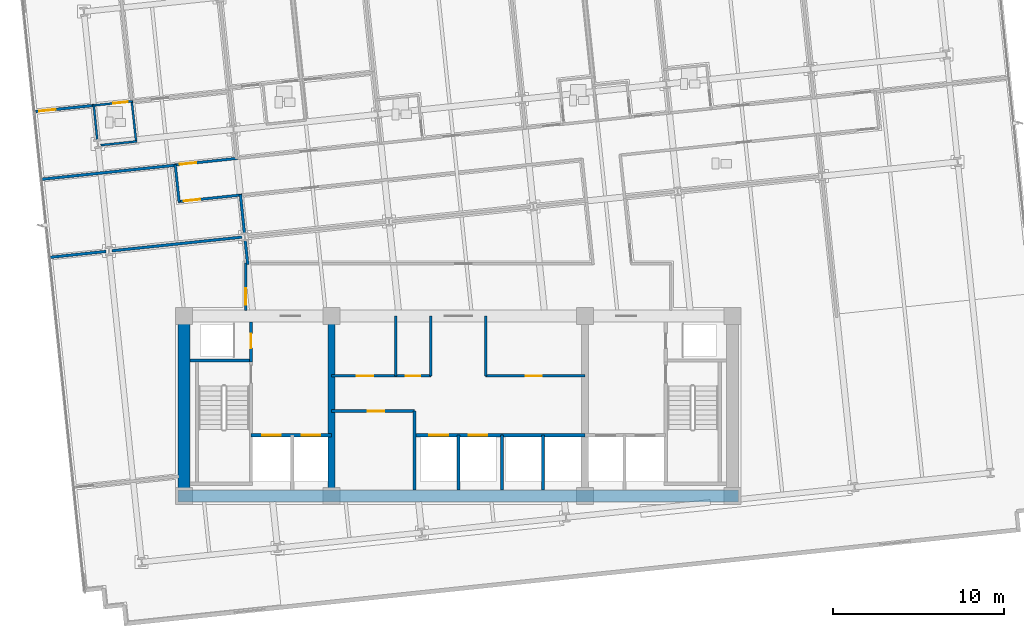
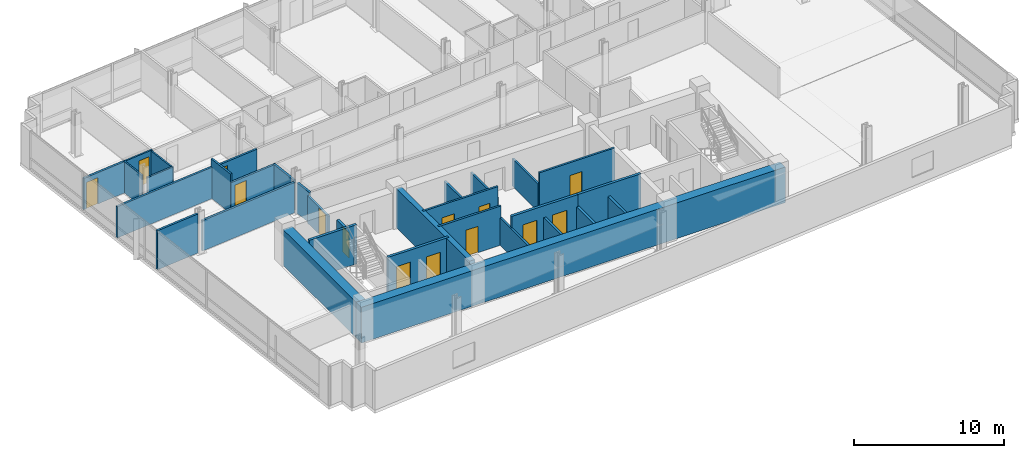
# One storey, part 10 of 18: 32 walls, 14 doors, 14 openings.
"""IFC4 building model written with IfcOpenShell, lengths in metres."""

from ifc_helpers import new_model, si_unit, direction, frame, frame_2d, origin, place, context, subcontext, project, spatial, rectangle, extrude, material, layer, layer_set, type_object, element, fill, save


model = new_model("IFC4")

# Units and contexts
model_context = context("Model", 3, precision=1e-05, world=origin(), true_north=direction((0.0, 1.0)))
body_context = subcontext(model_context, "Body", "Model", "MODEL_VIEW")
ifc_project = project(units=[si_unit("LENGTHUNIT", "METRE"), si_unit("AREAUNIT", "SQUARE_METRE"), si_unit("VOLUMEUNIT", "CUBIC_METRE"), si_unit("PLANEANGLEUNIT", "RADIAN"), si_unit("MASSUNIT", "GRAM", prefix="KILO")], contexts=[model_context])

# Site, building, storey
site_placement = place(None, origin())
site = spatial("IfcSite", under=ifc_project, at=site_placement, CompositionType="ELEMENT")
building_placement = place(site_placement, origin())
building = spatial("IfcBuilding", under=site, at=building_placement, Name="Solmavex Isthmus Hotel", CompositionType="ELEMENT")
storey_placement = place(building_placement, frame((0.0, 0.0, 120.14990234375)))
storey = spatial("IfcBuildingStorey", under=building, at=storey_placement, Name="L32", CompositionType="ELEMENT", Elevation=120.14990234375)

# Wall, opening, door
ifc_material_1 = material(Name="Gypsum plasterboard lining", Category="gypsum")
ifc_layer_1 = layer(ifc_material_1, 0.159912109375)
ifc_layer_set_1 = layer_set([ifc_layer_1], Name="Gypsum plasterboard lining")
wall_type_1 = type_object("IfcWallType", Name="IW-COMP-160", PredefinedType="PARTITIONING", material=ifc_layer_set_1)
wall_1_placement = place(storey_placement, frame((-7.39990234375, -8.050048828125, 0.0), z_axis=(0.0, 0.0, 1.0), x_axis=(1.0, 0.0, 0.0)))
wall_1 = element("IfcWall", 1, at=wall_1_placement, inside=storey, type_object=wall_type_1, Name="Interior Partition Wall W-L32-REC-PLL-N", PredefinedType="PARTITIONING", context=body_context, shape_type="SweptSolid", body=[
    extrude(rectangle(XDim=4.849853515625, YDim=0.159912109375, at=frame_2d((2.4248046875, 0.0))), origin(), (0.0, 0.0, 1.0), 3.190185546875),
])
opening_1_placement = place(wall_1_placement, frame((2.125, 0.0, 0.0)))
opening_1 = element("IfcOpeningElement", 2, at=opening_1_placement, cuts=wall_1, Name="Opening ID-C095", PredefinedType="OPENING", context=body_context, shape_type="SweptSolid", body=[
    extrude(rectangle(XDim=0.949951171875, YDim=2.14990234375, at=frame_2d((0.47509765625, 1.074951171875))), frame((0.0, 0.08984375, 0.0), z_axis=(0.0, -1.0, 0.0), x_axis=(1.0, 0.0, 0.0)), (0.0, 0.0, 1.0), 0.179931640625),
])
ifc_material_2 = material(Name="Hardwood timber", Category="wood")
door_type_1 = type_object("IfcDoorType", Name="IDR-FD60-0950", OperationType="NOTDEFINED", PredefinedType="DOOR", material=ifc_material_2)
door_1_placement = place(opening_1_placement, origin())
door_1 = element("IfcDoor", 3, at=door_1_placement, inside=storey, type_object=door_type_1, Name="Linen Reserve Door L32", OperationType="SINGLE_SWING_LEFT", OverallHeight=2.14990234375, OverallWidth=0.949951171875, PredefinedType="DOOR", context=body_context, shape_type="SweptSolid", body=[
    extrude(rectangle(XDim=0.949951171875, YDim=2.14990234375, at=frame_2d((0.47509765625, 1.074951171875))), frame((0.0, 0.02490234375, 0.0), z_axis=(0.0, -1.0, 0.0), x_axis=(1.0, 0.0, 0.0)), (0.0, 0.0, 1.0), 0.050048828125),
])
fill(opening_1, door_1)

# Wall
wall_2_placement = place(storey_placement, frame((-2.550048828125, -12.64990234375, 0.0), z_axis=(0.0, 0.0, 1.0), x_axis=(0.0, 1.0, 0.0)))
element("IfcWall", 4, at=wall_2_placement, inside=storey, type_object=wall_type_1, Name="Interior Partition Wall W-L32-REC-PLL-E", PredefinedType="PARTITIONING", context=body_context, shape_type="SweptSolid", body=[
    extrude(rectangle(XDim=4.599853515625, YDim=0.159912109375, at=frame_2d((2.2998046875, 0.0))), origin(), (0.0, 0.0, 1.0), 2.22509765625),
])

# Wall, opening, door
wall_3_placement = place(storey_placement, frame((-24.657958984375, 9.431396484375, 0.0), z_axis=(0.0, 0.0, 1.0), x_axis=(0.994518263963, 0.104563008008, 0.0)))
wall_3 = element("IfcWall", 5, at=wall_3_placement, inside=storey, type_object=wall_type_1, Name="Interior Partition Wall W-L32-P026", PredefinedType="PARTITIONING", context=body_context, shape_type="SweptSolid", body=[
    extrude(rectangle(XDim=3.44384765625, YDim=0.159912109375, at=frame_2d((1.721923828125, 0.0))), origin(), (0.0, 0.0, 1.0), 2.55322265625),
])
opening_2_placement = place(wall_3_placement, frame((0.2099609375, 0.0, 0.0)))
opening_2 = element("IfcOpeningElement", 6, at=opening_2_placement, cuts=wall_3, Name="Opening ID-C095", PredefinedType="OPENING", context=body_context, shape_type="SweptSolid", body=[
    extrude(rectangle(XDim=0.949951171875, YDim=2.14990234375, at=frame_2d((0.47509765625, 1.074951171875))), frame((0.0, 0.08984375, 0.0), z_axis=(0.0, -1.0, 0.0), x_axis=(1.0, 0.0, 0.0)), (0.0, 0.0, 1.0), 0.179931640625),
])
door_2_placement = place(opening_2_placement, origin())
door_2 = element("IfcDoor", 7, at=door_2_placement, inside=storey, type_object=door_type_1, Name="Ambassador Panorama Suite Master Bedroom Door L32-02", OperationType="SINGLE_SWING_RIGHT", OverallHeight=2.14990234375, OverallWidth=0.949951171875, PredefinedType="DOOR", context=body_context, shape_type="SweptSolid", body=[
    extrude(rectangle(XDim=0.949951171875, YDim=2.14990234375, at=frame_2d((0.47509765625, 1.074951171875))), frame((0.0, 0.02490234375, 0.0), z_axis=(0.0, -1.0, 0.0), x_axis=(1.0, 0.0, 0.0)), (0.0, 0.0, 1.0), 0.050048828125),
])
fill(opening_2, door_2)

# Walls
wall_4_placement = place(storey_placement, frame((-16.47802734375, 6.301513671875, 0.0), z_axis=(0.0, 0.0, 1.0), x_axis=(-0.994519786396, -0.104548526856, 0.0)))
element("IfcWall", 8, at=wall_4_placement, inside=storey, type_object=wall_type_1, Name="Interior Partition Wall W-L32-P033", PredefinedType="PARTITIONING", context=body_context, shape_type="SweptSolid", body=[
    extrude(rectangle(XDim=7.927978515625, YDim=0.159912109375, at=frame_2d((3.9638671875, 0.0))), origin(), (0.0, 0.0, 1.0), 2.55322265625),
])
wall_5_placement = place(storey_placement, frame((-12.718994140625, 4.594970703125, 0.0), z_axis=(0.0, 0.0, 1.0), x_axis=(0.104569435529, -0.994517588157, 0.0)))
element("IfcWall", 9, at=wall_5_placement, inside=storey, type_object=wall_type_1, Name="Interior Partition Wall W-L32-P072", PredefinedType="PARTITIONING", context=body_context, shape_type="SweptSolid", body=[
    extrude(rectangle(XDim=2.313720703125, YDim=0.159912109375, at=frame_2d((1.15673828125, 0.0))), origin(), (0.0, 0.0, 1.0), 2.4794921875),
])
wall_6_placement = place(storey_placement, frame((-20.558349609375, 1.267333984375, 0.0), z_axis=(0.0, 0.0, 1.0), x_axis=(-0.99451904707, -0.10455555946, 0.0)))
element("IfcWall", 10, at=wall_6_placement, inside=storey, type_object=wall_type_1, Name="Interior Partition Wall W-L32-P073", PredefinedType="PARTITIONING", context=body_context, shape_type="SweptSolid", body=[
    extrude(rectangle(XDim=3.34375, YDim=0.159912109375, at=frame_2d((1.671875, 0.0))), origin(), (0.0, 0.0, 1.0), 3.190185546875),
])
wall_7_placement = place(storey_placement, frame((-12.634033203125, 2.10009765625, 0.0), z_axis=(0.0, 0.0, 1.0), x_axis=(-0.994524056968, -0.104507894972, 0.0)))
element("IfcWall", 11, at=wall_7_placement, inside=storey, type_object=wall_type_1, Name="Interior Partition Wall W-L32-P074", PredefinedType="PARTITIONING", context=body_context, shape_type="SweptSolid", body=[
    extrude(rectangle(XDim=7.61572265625, YDim=0.159912109375, at=frame_2d((3.807861328125, 0.0))), origin(), (0.0, 0.0, 1.0), 2.4794921875),
])
wall_8_placement = place(storey_placement, frame((-12.289794921875, 0.51025390625, 0.0), z_axis=(0.0, 0.0, 1.0), x_axis=(-0.104534854339, 0.994521223619, 0.0)))
element("IfcWall", 12, at=wall_8_placement, inside=storey, type_object=wall_type_1, Name="Interior Partition Wall W-L32-P078", PredefinedType="PARTITIONING", context=body_context, shape_type="SweptSolid", body=[
    extrude(rectangle(XDim=1.44091796875, YDim=0.159912109375, at=frame_2d((0.720458984375, 0.0))), origin(), (0.0, 0.0, 1.0), 2.4794921875),
])

# Wall, openings, doors
ifc_layer_2 = layer(ifc_material_1, 0.14990234375)
ifc_layer_set_2 = layer_set([ifc_layer_2], Name="Gypsum plasterboard lining")
wall_type_2 = type_object("IfcWallType", Name="IW-CORR-150", PredefinedType="PARTITIONING", material=ifc_layer_set_2)
wall_9_placement = place(storey_placement, frame((-7.39990234375, -6.0, 0.0), z_axis=(0.0, 0.0, 1.0), x_axis=(1.0, 0.0, 0.0)))
wall_9 = element("IfcWall", 13, at=wall_9_placement, inside=storey, type_object=wall_type_2, Name="Interior Partition Wall W-L32-BOH-WS", PredefinedType="PARTITIONING", context=body_context, shape_type="SweptSolid", body=[
    extrude(rectangle(XDim=5.7998046875, YDim=0.14990234375, at=frame_2d((2.89990234375, 0.0))), origin(), (0.0, 0.0, 1.0), 3.190185546875),
])
opening_3_placement = place(wall_9_placement, frame((1.47509765625, 0.0, 0.0)))
opening_3 = element("IfcOpeningElement", 14, at=opening_3_placement, cuts=wall_9, Name="Opening ID-C095", PredefinedType="OPENING", context=body_context, shape_type="SweptSolid", body=[
    extrude(rectangle(XDim=0.949951171875, YDim=2.14990234375, at=frame_2d((0.47509765625, 1.074951171875))), frame((0.0, 0.0849609375, 0.0), z_axis=(0.0, -1.0, 0.0), x_axis=(1.0, 0.0, 0.0)), (0.0, 0.0, 1.0), 0.169921875),
])
opening_4_placement = place(wall_9_placement, frame((4.324951171875, 0.0, 0.0)))
opening_4 = element("IfcOpeningElement", 15, at=opening_4_placement, cuts=wall_9, Name="Opening ID-R085", PredefinedType="OPENING", context=body_context, shape_type="SweptSolid", body=[
    extrude(rectangle(XDim=0.85009765625, YDim=2.050048828125, at=frame_2d((0.425048828125, 1.02490234375))), frame((0.0, 0.0849609375, 0.0), z_axis=(0.0, -1.0, 0.0), x_axis=(1.0, 0.0, 0.0)), (0.0, 0.0, 1.0), 0.169921875),
])
ifc_material_3 = material(Name="Steel ASTM A500 Grade C", Category="steel")
door_type_2 = type_object("IfcDoorType", Name="IDR-FD60-0850", OperationType="NOTDEFINED", PredefinedType="DOOR", material=ifc_material_3)
door_3_placement = place(opening_4_placement, frame((0.85009765625, 0.0, 0.0), z_axis=(0.0, 0.0, 1.0), x_axis=(-1.0, 0.0, 0.0)))
door_3 = element("IfcDoor", 16, at=door_3_placement, inside=storey, type_object=door_type_2, Name="Cleaner Closet Door L32", OperationType="SINGLE_SWING_RIGHT", OverallHeight=2.050048828125, OverallWidth=0.85009765625, PredefinedType="DOOR", context=body_context, shape_type="SweptSolid", body=[
    extrude(rectangle(XDim=0.85009765625, YDim=2.050048828125, at=frame_2d((0.425048828125, 1.02490234375))), frame((0.0, 0.02490234375, 0.0), z_axis=(0.0, -1.0, 0.0), x_axis=(1.0, 0.0, 0.0)), (0.0, 0.0, 1.0), 0.050048828125),
])
fill(opening_4, door_3)
door_4_placement = place(opening_3_placement, frame((0.949951171875, 0.0, 0.0), z_axis=(0.0, 0.0, 1.0), x_axis=(-1.0, 0.0, 0.0)))
door_4 = element("IfcDoor", 17, at=door_4_placement, inside=storey, type_object=door_type_1, Name="Housekeeping Store Door L32", OperationType="SINGLE_SWING_LEFT", OverallHeight=2.14990234375, OverallWidth=0.949951171875, PredefinedType="DOOR", context=body_context, shape_type="SweptSolid", body=[
    extrude(rectangle(XDim=0.949951171875, YDim=2.14990234375, at=frame_2d((0.47509765625, 1.074951171875))), frame((0.0, 0.02490234375, 0.0), z_axis=(0.0, -1.0, 0.0), x_axis=(1.0, 0.0, 0.0)), (0.0, 0.0, 1.0), 0.050048828125),
])
fill(opening_3, door_4)

# Wall
wall_10_placement = place(storey_placement, frame((-1.60009765625, -6.0, 0.0), z_axis=(0.0, 0.0, 1.0), x_axis=(0.0, 1.0, 0.0)))
element("IfcWall", 18, at=wall_10_placement, inside=storey, type_object=wall_type_2, Name="Interior Partition Wall W-L32-BOH-WE", PredefinedType="PARTITIONING", context=body_context, shape_type="SweptSolid", body=[
    extrude(rectangle(XDim=3.5, YDim=0.14990234375, at=frame_2d((1.75, 0.0))), origin(), (0.0, 0.0, 1.0), 2.22509765625),
])

# Wall, opening, door
wall_11_placement = place(storey_placement, frame((1.60009765625, -6.0, 0.0), z_axis=(0.0, 0.0, 1.0), x_axis=(1.0, 0.0, 0.0)))
wall_11 = element("IfcWall", 19, at=wall_11_placement, inside=storey, type_object=wall_type_2, Name="Interior Partition Wall W-L32-BOH-ES", PredefinedType="PARTITIONING", context=body_context, shape_type="SweptSolid", body=[
    extrude(rectangle(XDim=5.7998046875, YDim=0.14990234375, at=frame_2d((2.89990234375, 0.0))), origin(), (0.0, 0.0, 1.0), 3.190185546875),
])
opening_5_placement = place(wall_11_placement, frame((2.324951171875, 0.0, 0.0)))
opening_5 = element("IfcOpeningElement", 20, at=opening_5_placement, cuts=wall_11, Name="Opening ID-C095", PredefinedType="OPENING", context=body_context, shape_type="SweptSolid", body=[
    extrude(rectangle(XDim=0.949951171875, YDim=2.14990234375, at=frame_2d((0.47509765625, 1.074951171875))), frame((0.0, 0.0849609375, 0.0), z_axis=(0.0, -1.0, 0.0), x_axis=(1.0, 0.0, 0.0)), (0.0, 0.0, 1.0), 0.169921875),
])
door_5_placement = place(opening_5_placement, frame((0.949951171875, 0.0, 0.0), z_axis=(0.0, 0.0, 1.0), x_axis=(-1.0, 0.0, 0.0)))
door_5 = element("IfcDoor", 21, at=door_5_placement, inside=storey, type_object=door_type_1, Name="Butler Pantry Door L32", OperationType="SINGLE_SWING_RIGHT", OverallHeight=2.14990234375, OverallWidth=0.949951171875, PredefinedType="DOOR", context=body_context, shape_type="SweptSolid", body=[
    extrude(rectangle(XDim=0.949951171875, YDim=2.14990234375, at=frame_2d((0.47509765625, 1.074951171875))), frame((0.0, 0.02490234375, 0.0), z_axis=(0.0, -1.0, 0.0), x_axis=(1.0, 0.0, 0.0)), (0.0, 0.0, 1.0), 0.050048828125),
])
fill(opening_5, door_5)

# Wall
wall_12_placement = place(storey_placement, frame((1.60009765625, -6.0, 0.0), z_axis=(0.0, 0.0, 1.0), x_axis=(0.0, 1.0, 0.0)))
element("IfcWall", 22, at=wall_12_placement, inside=storey, type_object=wall_type_2, Name="Interior Partition Wall W-L32-BOH-EW", PredefinedType="PARTITIONING", context=body_context, shape_type="SweptSolid", body=[
    extrude(rectangle(XDim=3.5, YDim=0.14990234375, at=frame_2d((1.75, 0.0))), origin(), (0.0, 0.0, 1.0), 2.22509765625),
])

# Wall, opening, door
wall_13_placement = place(storey_placement, frame((-16.5595703125, 6.31298828125, 0.0), z_axis=(0.0, 0.0, 1.0), x_axis=(0.994525204328, 0.104496975826, 0.0)))
wall_13 = element("IfcWall", 23, at=wall_13_placement, inside=storey, type_object=wall_type_2, Name="Interior Partition Wall W-L32-P001", PredefinedType="PARTITIONING", context=body_context, shape_type="SweptSolid", body=[
    extrude(rectangle(XDim=3.7216796875, YDim=0.14990234375, at=frame_2d((1.86083984375, 0.0))), origin(), (0.0, 0.0, 1.0), 2.4794921875),
])
opening_6_placement = place(wall_13_placement, frame((0.315185546875, 0.0, 0.0)))
opening_6 = element("IfcOpeningElement", 24, at=opening_6_placement, cuts=wall_13, Name="Opening ID-C095", PredefinedType="OPENING", context=body_context, shape_type="SweptSolid", body=[
    extrude(rectangle(XDim=0.949951171875, YDim=2.14990234375, at=frame_2d((0.47509765625, 1.074951171875))), frame((0.0, 0.0849609375, 0.0), z_axis=(0.0, -1.0, 0.0), x_axis=(1.0, 0.0, 0.0)), (0.0, 0.0, 1.0), 0.169921875),
])
door_6_placement = place(opening_6_placement, frame((0.949951171875, 0.0, 0.0), z_axis=(0.0, 0.0, 1.0), x_axis=(-1.0, 0.0, 0.0)))
door_6 = element("IfcDoor", 25, at=door_6_placement, inside=storey, type_object=door_type_1, Name="Ambassador Panorama Suite Living Salon Door L32-01", OperationType="SINGLE_SWING_LEFT", OverallHeight=2.14990234375, OverallWidth=0.949951171875, PredefinedType="DOOR", context=body_context, shape_type="SweptSolid", body=[
    extrude(rectangle(XDim=0.949951171875, YDim=2.14990234375, at=frame_2d((0.47509765625, 1.074951171875))), frame((0.0, 0.02490234375, 0.0), z_axis=(0.0, -1.0, 0.0), x_axis=(1.0, 0.0, 0.0)), (0.0, 0.0, 1.0), 0.050048828125),
])
fill(opening_6, door_6)

wall_14_placement = place(storey_placement, frame((-12.63330078125, 4.563720703125, 0.0), z_axis=(0.0, 0.0, 1.0), x_axis=(-0.994525920558, -0.104490159046, 0.0)))
wall_14 = element("IfcWall", 26, at=wall_14_placement, inside=storey, type_object=wall_type_2, Name="Interior Partition Wall W-L32-P014", PredefinedType="PARTITIONING", context=body_context, shape_type="SweptSolid", body=[
    extrude(rectangle(XDim=3.721923828125, YDim=0.14990234375, at=frame_2d((1.86083984375, 0.0))), origin(), (0.0, 0.0, 1.0), 2.4794921875),
])
opening_7_placement = place(wall_14_placement, frame((2.456787109375, 0.0, 0.0)))
opening_7 = element("IfcOpeningElement", 27, at=opening_7_placement, cuts=wall_14, Name="Opening ID-C095", PredefinedType="OPENING", context=body_context, shape_type="SweptSolid", body=[
    extrude(rectangle(XDim=0.949951171875, YDim=2.14990234375, at=frame_2d((0.47509765625, 1.074951171875))), frame((0.0, 0.0849609375, 0.0), z_axis=(0.0, -1.0, 0.0), x_axis=(1.0, 0.0, 0.0)), (0.0, 0.0, 1.0), 0.169921875),
])
door_7_placement = place(opening_7_placement, frame((0.949951171875, 0.0, 0.0), z_axis=(0.0, 0.0, 1.0), x_axis=(-1.0, 0.0, 0.0)))
door_7 = element("IfcDoor", 28, at=door_7_placement, inside=storey, type_object=door_type_1, Name="Catering Servery Kitchen Door L32-19", OperationType="SINGLE_SWING_LEFT", OverallHeight=2.14990234375, OverallWidth=0.949951171875, PredefinedType="DOOR", context=body_context, shape_type="SweptSolid", body=[
    extrude(rectangle(XDim=0.949951171875, YDim=2.14990234375, at=frame_2d((0.47509765625, 1.074951171875))), frame((0.0, 0.02490234375, 0.0), z_axis=(0.0, -1.0, 0.0), x_axis=(1.0, 0.0, 0.0)), (0.0, 0.0, 1.0), 0.050048828125),
])
fill(opening_7, door_7)

# Wall
wall_15_placement = place(storey_placement, frame((-16.291015625, 4.13916015625, 0.0), z_axis=(0.0, 0.0, 1.0), x_axis=(-0.104512255544, 0.994523598735, 0.0)))
element("IfcWall", 29, at=wall_15_placement, inside=storey, type_object=wall_type_2, Name="Interior Partition Wall W-L32-P015", PredefinedType="PARTITIONING", context=body_context, shape_type="SweptSolid", body=[
    extrude(rectangle(XDim=2.2099609375, YDim=0.14990234375, at=frame_2d((1.10498046875, 0.0))), origin(), (0.0, 0.0, 1.0), 3.190185546875),
])

# Wall, opening, door
wall_16_placement = place(storey_placement, frame((-12.39990234375, -2.18994140625, 0.0), z_axis=(0.0, 0.0, 1.0), x_axis=(0.0, 1.0, 0.0)))
wall_16 = element("IfcWall", 30, at=wall_16_placement, inside=storey, type_object=wall_type_2, Name="Interior Partition Wall W-L32-P020", PredefinedType="PARTITIONING", context=body_context, shape_type="SweptSolid", body=[
    extrude(rectangle(XDim=2.780029296875, YDim=0.14990234375, at=frame_2d((1.39013671875, 0.0))), origin(), (0.0, 0.0, 1.0), 2.22509765625),
])
opening_8_placement = place(wall_16_placement, frame((0.347900390625, 0.0, 0.0)))
opening_8 = element("IfcOpeningElement", 31, at=opening_8_placement, cuts=wall_16, Name="Opening ID-C095", PredefinedType="OPENING", context=body_context, shape_type="SweptSolid", body=[
    extrude(rectangle(XDim=0.949951171875, YDim=2.14990234375, at=frame_2d((0.47509765625, 1.074951171875))), frame((0.0, 0.0849609375, 0.0), z_axis=(0.0, -1.0, 0.0), x_axis=(1.0, 0.0, 0.0)), (0.0, 0.0, 1.0), 0.169921875),
])
door_8_placement = place(opening_8_placement, frame((0.949951171875, 0.0, 0.0), z_axis=(0.0, 0.0, 1.0), x_axis=(-1.0, 0.0, 0.0)))
door_8 = element("IfcDoor", 32, at=door_8_placement, inside=storey, type_object=door_type_1, Name="Seminar Meeting Room Door L32-22", OperationType="SINGLE_SWING_RIGHT", OverallHeight=2.14990234375, OverallWidth=0.949951171875, PredefinedType="DOOR", context=body_context, shape_type="SweptSolid", body=[
    extrude(rectangle(XDim=0.949951171875, YDim=2.14990234375, at=frame_2d((0.47509765625, 1.074951171875))), frame((0.0, 0.02490234375, 0.0), z_axis=(0.0, -1.0, 0.0), x_axis=(1.0, 0.0, 0.0)), (0.0, 0.0, 1.0), 0.050048828125),
])
fill(opening_8, door_8)

# Walls
ifc_layer_3 = layer(ifc_material_1, 0.1201171875)
ifc_layer_set_3 = layer_set([ifc_layer_3], Name="Gypsum plasterboard lining")
wall_type_3 = type_object("IfcWallType", Name="IW-PART-120", PredefinedType="PARTITIONING", material=ifc_layer_set_3)
wall_17_placement = place(storey_placement, frame((-3.64990234375, -6.0, 0.0), z_axis=(0.0, 0.0, 1.0), x_axis=(0.0, 1.0, 0.0)))
element("IfcWall", 33, at=wall_17_placement, inside=storey, type_object=wall_type_3, Name="Interior Partition Wall W-L32-BOH-WM1", PredefinedType="PARTITIONING", context=body_context, shape_type="SweptSolid", body=[
    extrude(rectangle(XDim=3.5, YDim=0.14990234375, at=frame_2d((1.75, 0.0))), origin(), (0.0, 0.0, 1.0), 2.22509765625),
])
wall_18_placement = place(storey_placement, frame((-21.276611328125, 9.8271484375, 0.0), z_axis=(0.0, 0.0, 1.0), x_axis=(0.099583786525, -0.995029180206, 0.0)))
element("IfcWall", 34, at=wall_18_placement, inside=storey, type_object=wall_type_3, Name="Interior Partition Wall W-L32-P028", PredefinedType="PARTITIONING", context=body_context, shape_type="SweptSolid", body=[
    extrude(rectangle(XDim=2.11328125, YDim=0.1201171875, at=frame_2d((1.056640625, 0.0))), origin(), (0.0, 0.0, 1.0), 2.55322265625),
])
wall_19_placement = place(storey_placement, frame((-20.8662109375, 7.467041015625, 0.0), z_axis=(0.0, 0.0, 1.0), x_axis=(0.994521229742, 0.10453479608, 0.0)))
element("IfcWall", 35, at=wall_19_placement, inside=storey, type_object=wall_type_3, Name="Interior Partition Wall W-L32-P029", PredefinedType="PARTITIONING", context=body_context, shape_type="SweptSolid", body=[
    extrude(rectangle(XDim=2.118408203125, YDim=0.1201171875, at=frame_2d((1.05908203125, 0.0))), origin(), (0.0, 0.0, 1.0), 2.4794921875),
])
wall_20_placement = place(storey_placement, frame((-18.794921875, 7.64453125, 0.0), z_axis=(0.0, 0.0, 1.0), x_axis=(-0.108700221405, 0.994074575606, 0.0)))
element("IfcWall", 36, at=wall_20_placement, inside=storey, type_object=wall_type_3, Name="Interior Partition Wall W-L32-P030", PredefinedType="PARTITIONING", context=body_context, shape_type="SweptSolid", body=[
    extrude(rectangle(XDim=2.43017578125, YDim=0.1201171875, at=frame_2d((1.215087890625, 0.0))), origin(), (0.0, 0.0, 1.0), 2.4794921875),
])

# Wall, opening, door
wall_21_placement = place(storey_placement, frame((-19.005126953125, 10.025634765625, 0.0), z_axis=(0.0, 0.0, 1.0), x_axis=(-0.99452742736, -0.104475816474, 0.0)))
wall_21 = element("IfcWall", 37, at=wall_21_placement, inside=storey, type_object=wall_type_3, Name="Interior Partition Wall W-L32-P035", PredefinedType="PARTITIONING", context=body_context, shape_type="SweptSolid", body=[
    extrude(rectangle(XDim=2.371826171875, YDim=0.1201171875, at=frame_2d((1.18603515625, 0.0))), origin(), (0.0, 0.0, 1.0), 2.55322265625),
])
opening_9_placement = place(wall_21_placement, frame((0.27978515625, 0.0, 0.0)))
opening_9 = element("IfcOpeningElement", 38, at=opening_9_placement, cuts=wall_21, Name="Opening ID-U085", PredefinedType="OPENING", context=body_context, shape_type="SweptSolid", body=[
    extrude(rectangle(XDim=0.85009765625, YDim=2.10009765625, at=frame_2d((0.425048828125, 1.050048828125))), frame((0.0, 0.070068359375, 0.0), z_axis=(0.0, -1.0, 0.0), x_axis=(1.0, 0.0, 0.0)), (0.0, 0.0, 1.0), 0.14013671875),
])
door_type_3 = type_object("IfcDoorType", Name="IDR-UNR-0850", OperationType="NOTDEFINED", PredefinedType="DOOR", material=ifc_material_2)
door_9_placement = place(opening_9_placement, frame((0.85009765625, 0.0, 0.0), z_axis=(0.0, 0.0, 1.0), x_axis=(-1.0, 0.0, 0.0)))
door_9 = element("IfcDoor", 39, at=door_9_placement, inside=storey, type_object=door_type_3, Name="En-suite Bathroom Door L32-04", OperationType="SINGLE_SWING_RIGHT", OverallHeight=2.10009765625, OverallWidth=0.85009765625, PredefinedType="DOOR", context=body_context, shape_type="SweptSolid", body=[
    extrude(rectangle(XDim=0.85009765625, YDim=2.10009765625, at=frame_2d((0.425048828125, 1.050048828125))), frame((0.0, 0.02490234375, 0.0), z_axis=(0.0, -1.0, 0.0), x_axis=(1.0, 0.0, 0.0)), (0.0, 0.0, 1.0), 0.050048828125),
])
fill(opening_9, door_9)

# Walls
ifc_material_4 = material(Name="Concrete C40/50", Category="concrete")
ifc_layer_4 = layer(ifc_material_4, 0.179931640625)
ifc_layer_set_4 = layer_set([ifc_layer_4], Name="Concrete C40/50")
wall_type_4 = type_object("IfcWallType", Name="IW-SHAFT-180", PredefinedType="PARTITIONING", material=ifc_layer_set_4)
for number, where, z_axis, x_axis, name in (
    (40, (0.0, -12.64990234375, 0.0), (0.0, 0.0, 1.0), (0.0, 1.0, 0.0), "Interior Partition Wall W-L32-SH-PLM-M"),
    (41, (4.949951171875, -12.64990234375, 0.0), (0.0, 0.0, 1.0), (0.0, 1.0, 0.0), "Interior Partition Wall W-L32-SH-PLH-M"),
):
    element("IfcWall", number, at=place(storey_placement, frame(where, z_axis=z_axis, x_axis=x_axis)), inside=storey, type_object=wall_type_4, Name=name, PredefinedType="PARTITIONING", context=body_context, shape_type="SweptSolid", body=[
        extrude(rectangle(XDim=3.199951171875, YDim=0.179931640625, at=frame_2d((1.60009765625, 0.0))), origin(), (0.0, 0.0, 1.0), 2.22509765625),
    ])

# Wall, opening, door
ifc_layer_5 = layer(ifc_material_4, 0.199951171875)
ifc_layer_set_5 = layer_set([ifc_layer_5], Name="Concrete C40/50")
wall_type_5 = type_object("IfcWallType", Name="IW-SHAFT-200", PredefinedType="PARTITIONING", material=ifc_layer_set_5)
wall_22_placement = place(storey_placement, frame((-12.10009765625, -5.199951171875, 0.0), z_axis=(0.0, 0.0, 1.0), x_axis=(0.0, 1.0, 0.0)))
wall_22 = element("IfcWall", 42, at=wall_22_placement, inside=storey, type_object=wall_type_5, Name="Interior Partition Wall W-L32-RSW-E", PredefinedType="PARTITIONING", context=body_context, shape_type="SweptSolid", body=[
    extrude(rectangle(XDim=2.349853515625, YDim=0.199951171875, at=frame_2d((1.1748046875, 0.0))), origin(), (0.0, 0.0, 1.0), 2.22509765625),
])
opening_10_placement = place(wall_22_placement, frame((0.824951171875, 0.0, 0.0)))
opening_10 = element("IfcOpeningElement", 43, at=opening_10_placement, cuts=wall_22, Name="Opening ID-R085", PredefinedType="OPENING", context=body_context, shape_type="SweptSolid", body=[
    extrude(rectangle(XDim=0.85009765625, YDim=2.050048828125, at=frame_2d((0.425048828125, 1.02490234375))), frame((0.0, 0.10986328125, 0.0), z_axis=(0.0, -1.0, 0.0), x_axis=(1.0, 0.0, 0.0)), (0.0, 0.0, 1.0), 0.219970703125),
])
door_10_placement = place(opening_10_placement, origin())
door_10 = element("IfcDoor", 44, at=door_10_placement, inside=storey, type_object=door_type_2, Name="Electrical Riser Door L32", OperationType="SINGLE_SWING_RIGHT", OverallHeight=2.050048828125, OverallWidth=0.85009765625, PredefinedType="DOOR", context=body_context, shape_type="SweptSolid", body=[
    extrude(rectangle(XDim=0.85009765625, YDim=2.050048828125, at=frame_2d((0.425048828125, 1.02490234375))), frame((0.0, 0.02490234375, 0.0), z_axis=(0.0, -1.0, 0.0), x_axis=(1.0, 0.0, 0.0)), (0.0, 0.0, 1.0), 0.050048828125),
])
fill(opening_10, door_10)

# Wall, openings, doors
wall_23_placement = place(storey_placement, frame((-12.10009765625, -9.449951171875, 0.0), z_axis=(0.0, 0.0, 1.0), x_axis=(1.0, 0.0, 0.0)))
wall_23 = element("IfcWall", 45, at=wall_23_placement, inside=storey, type_object=wall_type_5, Name="Interior Partition Wall W-L32-FFLW-S", PredefinedType="PARTITIONING", context=body_context, shape_type="SweptSolid", body=[
    extrude(rectangle(XDim=4.7001953125, YDim=0.199951171875, at=frame_2d((2.35009765625, 0.0))), origin(), (0.0, 0.0, 1.0), 3.190185546875),
])
opening_11_placement = place(wall_23_placement, frame((0.64990234375, 0.0, 0.0)))
opening_11 = element("IfcOpeningElement", 46, at=opening_11_placement, cuts=wall_23, Name="Opening LD-FF", PredefinedType="OPENING", context=body_context, shape_type="SweptSolid", body=[
    extrude(rectangle(XDim=1.10009765625, YDim=2.199951171875, at=frame_2d((0.550048828125, 1.10009765625))), frame((0.0, 0.10986328125, 0.0), z_axis=(0.0, -1.0, 0.0), x_axis=(1.0, 0.0, 0.0)), (0.0, 0.0, 1.0), 0.219970703125),
])
opening_12_placement = place(wall_23_placement, frame((2.949951171875, 0.0, 0.0)))
opening_12 = element("IfcOpeningElement", 47, at=opening_12_placement, cuts=wall_23, Name="Opening LD-SV", PredefinedType="OPENING", context=body_context, shape_type="SweptSolid", body=[
    extrude(rectangle(XDim=1.10009765625, YDim=2.199951171875, at=frame_2d((0.550048828125, 1.10009765625))), frame((0.0, 0.10986328125, 0.0), z_axis=(0.0, -1.0, 0.0), x_axis=(1.0, 0.0, 0.0)), (0.0, 0.0, 1.0), 0.219970703125),
])
ifc_material_5 = material(Name="Stainless steel 316", Category="steel")
door_type_4 = type_object("IfcDoorType", Name="LDR-FF-1100", OperationType="NOTDEFINED", PredefinedType="DOOR", material=ifc_material_5)
door_11_placement = place(opening_11_placement, origin())
door_11 = element("IfcDoor", 48, at=door_11_placement, inside=storey, type_object=door_type_4, Name="Lift Landing Door FFL-1 L32", OperationType="SLIDING_TO_LEFT", OverallHeight=2.199951171875, OverallWidth=1.10009765625, PredefinedType="DOOR", context=body_context, shape_type="SweptSolid", body=[
    extrude(rectangle(XDim=1.10009765625, YDim=2.199951171875, at=frame_2d((0.550048828125, 1.10009765625))), frame((0.0, 0.02490234375, 0.0), z_axis=(0.0, -1.0, 0.0), x_axis=(1.0, 0.0, 0.0)), (0.0, 0.0, 1.0), 0.050048828125),
])
fill(opening_11, door_11)
door_type_5 = type_object("IfcDoorType", Name="LDR-SV-1100", OperationType="NOTDEFINED", PredefinedType="DOOR", material=ifc_material_5)
door_12_placement = place(opening_12_placement, origin())
door_12 = element("IfcDoor", 49, at=door_12_placement, inside=storey, type_object=door_type_5, Name="Lift Landing Door SVL-1 L32", OperationType="SLIDING_TO_RIGHT", OverallHeight=2.199951171875, OverallWidth=1.10009765625, PredefinedType="DOOR", context=body_context, shape_type="SweptSolid", body=[
    extrude(rectangle(XDim=1.10009765625, YDim=2.199951171875, at=frame_2d((0.550048828125, 1.10009765625))), frame((0.0, 0.02490234375, 0.0), z_axis=(0.0, -1.0, 0.0), x_axis=(1.0, 0.0, 0.0)), (0.0, 0.0, 1.0), 0.050048828125),
])
fill(opening_12, door_12)

wall_24_placement = place(storey_placement, frame((-2.550048828125, -9.449951171875, 0.0), z_axis=(0.0, 0.0, 1.0), x_axis=(1.0, 0.0, 0.0)))
wall_24 = element("IfcWall", 50, at=wall_24_placement, inside=storey, type_object=wall_type_5, Name="Interior Partition Wall W-L32-SH-PLM", PredefinedType="PARTITIONING", context=body_context, shape_type="SweptSolid", body=[
    extrude(rectangle(XDim=5.10009765625, YDim=0.199951171875, at=frame_2d((2.550048828125, 0.0))), origin(), (0.0, 0.0, 1.0), 3.190185546875),
])
opening_13_placement = place(wall_24_placement, frame((0.85009765625, 0.0, 0.0)))
opening_13 = element("IfcOpeningElement", 51, at=opening_13_placement, cuts=wall_24, Name="Opening LD-PL", PredefinedType="OPENING", context=body_context, shape_type="SweptSolid", body=[
    extrude(rectangle(XDim=1.10009765625, YDim=2.199951171875, at=frame_2d((0.550048828125, 1.10009765625))), frame((0.0, 0.10986328125, 0.0), z_axis=(0.0, -1.0, 0.0), x_axis=(1.0, 0.0, 0.0)), (0.0, 0.0, 1.0), 0.219970703125),
])
opening_14_placement = place(wall_24_placement, frame((3.14990234375, 0.0, 0.0)))
opening_14 = element("IfcOpeningElement", 52, at=opening_14_placement, cuts=wall_24, Name="Opening LD-PL", PredefinedType="OPENING", context=body_context, shape_type="SweptSolid", body=[
    extrude(rectangle(XDim=1.10009765625, YDim=2.199951171875, at=frame_2d((0.550048828125, 1.10009765625))), frame((0.0, 0.10986328125, 0.0), z_axis=(0.0, -1.0, 0.0), x_axis=(1.0, 0.0, 0.0)), (0.0, 0.0, 1.0), 0.219970703125),
])
door_type_6 = type_object("IfcDoorType", Name="LDR-PL-1100", OperationType="NOTDEFINED", PredefinedType="DOOR", material=ifc_material_5)
door_13_placement = place(opening_13_placement, origin())
door_13 = element("IfcDoor", 53, at=door_13_placement, inside=storey, type_object=door_type_6, Name="Lift Landing Door PLM1 L32", OperationType="SLIDING_TO_RIGHT", OverallHeight=2.199951171875, OverallWidth=1.10009765625, PredefinedType="DOOR", context=body_context, shape_type="SweptSolid", body=[
    extrude(rectangle(XDim=1.10009765625, YDim=2.199951171875, at=frame_2d((0.550048828125, 1.10009765625))), frame((0.0, 0.02490234375, 0.0), z_axis=(0.0, -1.0, 0.0), x_axis=(1.0, 0.0, 0.0)), (0.0, 0.0, 1.0), 0.050048828125),
])
fill(opening_13, door_13)
door_14_placement = place(opening_14_placement, origin())
door_14 = element("IfcDoor", 54, at=door_14_placement, inside=storey, type_object=door_type_6, Name="Lift Landing Door PLM2 L32", OperationType="SLIDING_TO_RIGHT", OverallHeight=2.199951171875, OverallWidth=1.10009765625, PredefinedType="DOOR", context=body_context, shape_type="SweptSolid", body=[
    extrude(rectangle(XDim=1.10009765625, YDim=2.199951171875, at=frame_2d((0.550048828125, 1.10009765625))), frame((0.0, 0.02490234375, 0.0), z_axis=(0.0, -1.0, 0.0), x_axis=(1.0, 0.0, 0.0)), (0.0, 0.0, 1.0), 0.050048828125),
])
fill(opening_14, door_14)

# Walls
wall_25_placement = place(storey_placement, frame((2.550048828125, -12.64990234375, 0.0), z_axis=(0.0, 0.0, 1.0), x_axis=(0.0, 1.0, 0.0)))
element("IfcWall", 55, at=wall_25_placement, inside=storey, type_object=wall_type_5, Name="Interior Partition Wall W-L32-SH-PLM-E", PredefinedType="PARTITIONING", context=body_context, shape_type="SweptSolid", body=[
    extrude(rectangle(XDim=3.199951171875, YDim=0.199951171875, at=frame_2d((1.60009765625, 0.0))), origin(), (0.0, 0.0, 1.0), 2.22509765625),
])
wall_26_placement = place(storey_placement, frame((2.550048828125, -9.449951171875, 0.0), z_axis=(0.0, 0.0, 1.0), x_axis=(1.0, 0.0, 0.0)))
element("IfcWall", 56, at=wall_26_placement, inside=storey, type_object=wall_type_5, Name="Interior Partition Wall W-L32-SH-PLH", PredefinedType="PARTITIONING", context=body_context, shape_type="SweptSolid", body=[
    extrude(rectangle(XDim=4.849853515625, YDim=0.199951171875, at=frame_2d((2.4248046875, 0.0))), origin(), (0.0, 0.0, 1.0), 3.190185546875),
])
ifc_material_6 = material(Name="Concrete C60/75", Category="concrete")
ifc_layer_6 = layer(ifc_material_6, 0.39990234375)
ifc_layer_set_6 = layer_set([ifc_layer_6], Name="Concrete C60/75")
wall_type_6 = type_object("IfcWallType", Name="WALL-CW-400M", PredefinedType="SHEAR", material=ifc_layer_set_6)
wall_27_placement = place(storey_placement, frame((-7.39990234375, -12.64990234375, 0.0), z_axis=(0.0, 0.0, 1.0), x_axis=(0.0, 1.0, 0.0)))
element("IfcWall", 57, at=wall_27_placement, inside=storey, type_object=wall_type_6, Name="Core Cross Shear Wall C1 L32", PredefinedType="SHEAR", context=body_context, shape_type="SweptSolid", body=[
    extrude(rectangle(XDim=9.7998046875, YDim=0.39990234375, at=frame_2d((4.89990234375, 0.0))), origin(), (0.0, 0.0, 1.0), 3.190185546875),
])
ifc_layer_7 = layer(ifc_material_6, 0.699951171875)
ifc_layer_set_7 = layer_set([ifc_layer_7], Name="Concrete C60/75")
wall_type_7 = type_object("IfcWallType", Name="WALL-CW-700", PredefinedType="SHEAR", material=ifc_layer_set_7)
wall_28_placement = place(storey_placement, frame((-16.35009765625, -13.0, 0.0), z_axis=(0.0, 0.0, 1.0), x_axis=(1.0, 0.0, 0.0)))
element("IfcWall", 58, at=wall_28_placement, inside=storey, type_object=wall_type_7, Name="Core Shear Wall South L32", PredefinedType="SHEAR", context=body_context, shape_type="SweptSolid", body=[
    extrude(rectangle(XDim=32.7001953125, YDim=0.699951171875, at=frame_2d((16.35009765625, 0.0))), origin(), (0.0, 0.0, 1.0), 2.91015625),
])
wall_29_placement = place(storey_placement, frame((-16.0, -12.64990234375, 0.0), z_axis=(0.0, 0.0, 1.0), x_axis=(0.0, 1.0, 0.0)))
element("IfcWall", 59, at=wall_29_placement, inside=storey, type_object=wall_type_7, Name="Core Shear Wall West L32", PredefinedType="SHEAR", context=body_context, shape_type="SweptSolid", body=[
    extrude(rectangle(XDim=9.7998046875, YDim=0.699951171875, at=frame_2d((4.89990234375, 0.0))), origin(), (0.0, 0.0, 1.0), 2.91015625),
])
ifc_layer_8 = layer(ifc_material_4, 0.199951171875)
ifc_layer_set_8 = layer_set([ifc_layer_8], Name="Concrete C40/50")
wall_type_8 = type_object("IfcWallType", Name="WALL-SW-200", PredefinedType="SOLIDWALL", material=ifc_layer_set_8)
wall_30_placement = place(storey_placement, frame((-15.64990234375, -5.10009765625, 0.0), z_axis=(0.0, 0.0, 1.0), x_axis=(1.0, 0.0, 0.0)))
element("IfcWall", 60, at=wall_30_placement, inside=storey, type_object=wall_type_8, Name="Stairwell Structural Wall SW-L32-ST1-N", PredefinedType="SOLIDWALL", context=body_context, shape_type="SweptSolid", body=[
    extrude(rectangle(XDim=3.64990234375, YDim=0.199951171875, at=frame_2d((1.824951171875, 0.0))), origin(), (0.0, 0.0, 1.0), 3.190185546875),
])

save(model, "model.ifc")
